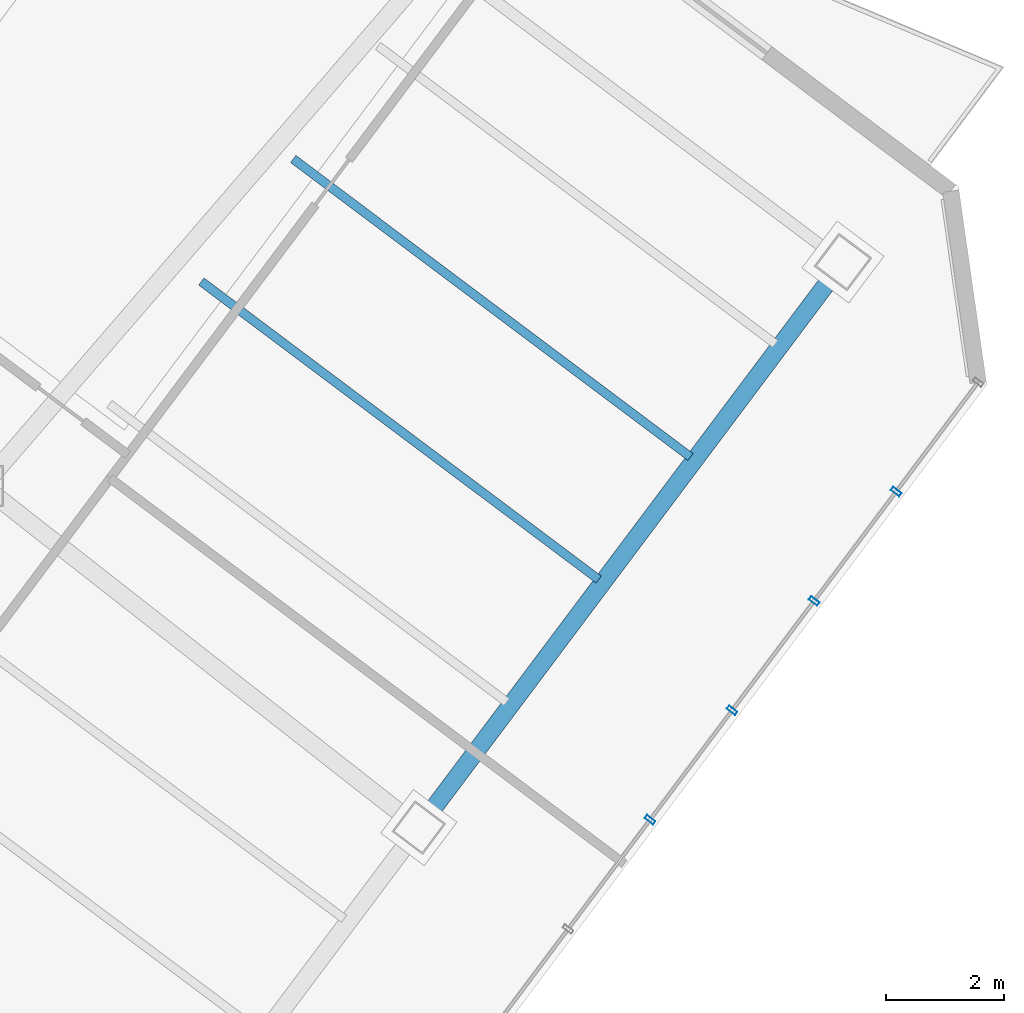
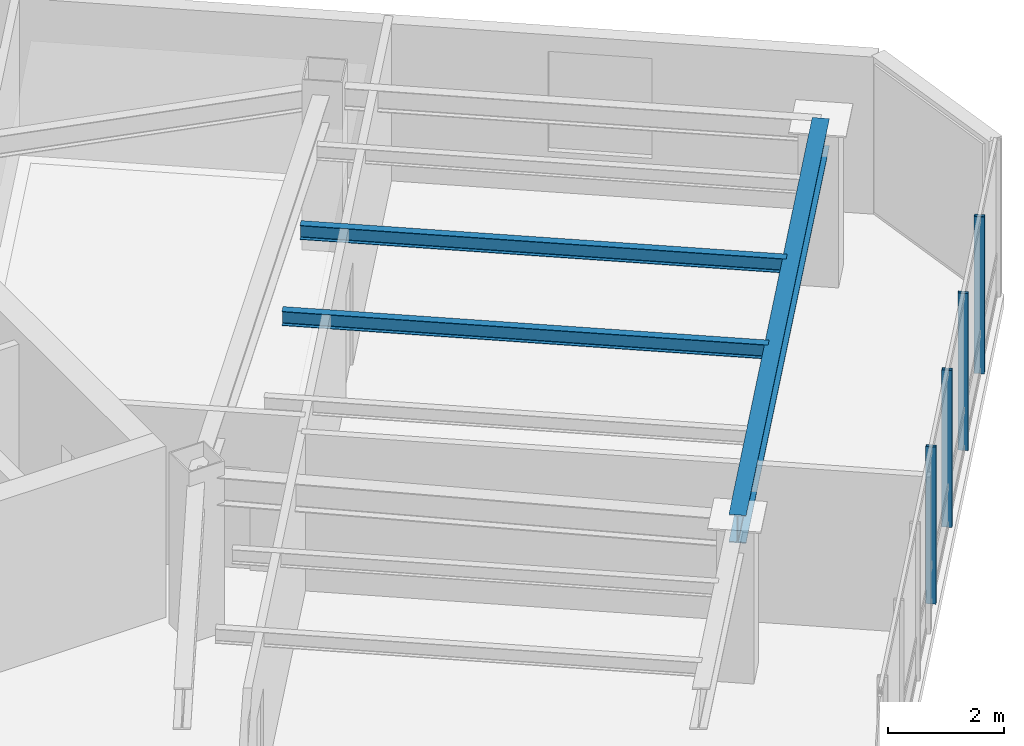
# One storey, part 13 of 25: 4 members, 3 beams, 1 element without a shape of its own.
"""IFC4 building model written with IfcOpenShell, lengths in metres."""

from ifc_helpers import new_model, si_unit, direction, frame, origin, origin_2d, place, context, subcontext, project, spatial, hollow_rectangle, i_section, extrude, material, layer, layer_set, material_profile, profile_set, type_object, element, aggregate, save


model = new_model("IFC4")

# Units and contexts
model_context = context("Model", 3, precision=1e-05, world=origin(), true_north=direction((0.0, 1.0)))
body_context = subcontext(model_context, "Body", "Model", "MODEL_VIEW")
ifc_project = project(units=[si_unit("LENGTHUNIT", "METRE"), si_unit("AREAUNIT", "SQUARE_METRE"), si_unit("VOLUMEUNIT", "CUBIC_METRE"), si_unit("PLANEANGLEUNIT", "RADIAN"), si_unit("MASSUNIT", "GRAM", prefix="KILO")], contexts=[model_context])

# Site, building, storey
site_placement = place(None, origin())
site = spatial("IfcSite", under=ifc_project, at=site_placement, CompositionType="ELEMENT")
building_placement = place(site_placement, origin())
building = spatial("IfcBuilding", under=site, at=building_placement, Name="Hatsunagi Terrace Concourse", CompositionType="ELEMENT")
storey_placement = place(building_placement, frame((0.0, 0.0, 231.14990234375)))
storey = spatial("IfcBuildingStorey", under=building, at=storey_placement, Name="L61", CompositionType="ELEMENT", Elevation=231.14990234375)

# Curtain wall, members
ifc_material_1 = material(Name="Anodised Aluminium Alloy 6063-T5", Category="aluminium")
ifc_layer = layer(ifc_material_1, 0.199951171875)
ifc_layer_set = layer_set([ifc_layer], Name="OfficeZone2_CW04")
curtain_wall_type = type_object("IfcCurtainWallType", Name="OfficeZone2_CW04", PredefinedType="NOTDEFINED", material=ifc_layer_set)
curtain_wall_placement = place(storey_placement, origin())
curtain_wall = element("IfcCurtainWall", 1, at=curtain_wall_placement, inside=storey, type_object=curtain_wall_type, Name="Unitised Curtain Wall CW-04 CW-L61-03", PredefinedType="NOTDEFINED")
ifc_material_2 = material(Name="Anodised Aluminium Alloy 6063-T5", Category="aluminium")
ifc_material_profile_1 = material_profile(ifc_material_2, hollow_rectangle(XDim=0.070068359375, YDim=0.179931640625, WallThickness=0.00390625, at=origin_2d()), Name="ALU-MUL-180x70x4")
ifc_profile_set_1 = profile_set([ifc_material_profile_1], Name="Anodised Aluminium Alloy 6063-T5")
member_type = type_object("IfcMemberType", Name="CurtainWallMullion_180x70", PredefinedType="MULLION", material=ifc_profile_set_1)
member_1_placement = place(storey_placement, frame((59.301025390625, 24.10205078125, 0.0), z_axis=(0.0, 0.0, 1.0), x_axis=(-0.599969314634, -0.800023013105, 0.0)))
member_1 = element("IfcMember", 2, at=member_1_placement, type_object=member_type, Name="Curtain Wall Mullion MUL-02", PredefinedType="MULLION", context=body_context, shape_type="SweptSolid", body=[
    extrude(hollow_rectangle(XDim=0.070068359375, YDim=0.179931640625, WallThickness=0.00390625, at=origin_2d()), origin(), (0.0, 0.0, 1.0), 3.300048828125),
])
member_2_placement = place(storey_placement, frame((57.908935546875, 22.2451171875, 0.0), z_axis=(0.0, 0.0, 1.0), x_axis=(-0.599969314634, -0.800023013105, 0.0)))
member_2 = element("IfcMember", 3, at=member_2_placement, type_object=member_type, Name="Curtain Wall Mullion MUL-02", PredefinedType="MULLION", context=body_context, shape_type="SweptSolid", body=[
    extrude(hollow_rectangle(XDim=0.070068359375, YDim=0.179931640625, WallThickness=0.00390625, at=origin_2d()), origin(), (0.0, 0.0, 1.0), 3.300048828125),
])
member_3_placement = place(storey_placement, frame((56.51611328125, 20.388916015625, 0.0), z_axis=(0.0, 0.0, 1.0), x_axis=(-0.599969314634, -0.800023013105, 0.0)))
member_3 = element("IfcMember", 4, at=member_3_placement, type_object=member_type, Name="Curtain Wall Mullion MUL-02", PredefinedType="MULLION", context=body_context, shape_type="SweptSolid", body=[
    extrude(hollow_rectangle(XDim=0.070068359375, YDim=0.179931640625, WallThickness=0.00390625, at=origin_2d()), origin(), (0.0, 0.0, 1.0), 3.300048828125),
])
member_4_placement = place(storey_placement, frame((55.1240234375, 18.531982421875, 0.0), z_axis=(0.0, 0.0, 1.0), x_axis=(-0.599969314634, -0.800023013105, 0.0)))
member_4 = element("IfcMember", 5, at=member_4_placement, type_object=member_type, Name="Curtain Wall Mullion MUL-02", PredefinedType="MULLION", context=body_context, shape_type="SweptSolid", body=[
    extrude(hollow_rectangle(XDim=0.070068359375, YDim=0.179931640625, WallThickness=0.00390625, at=origin_2d()), origin(), (0.0, 0.0, 1.0), 3.300048828125),
])
aggregate(curtain_wall, [member_1, member_2, member_3, member_4])

# Beams
ifc_material_3 = material(Name="Steel SN490B", Category="steel")
ifc_material_profile_2 = material_profile(ifc_material_3, i_section(OverallWidth=0.300048828125, OverallDepth=0.587890625, WebThickness=0.011962890625, FlangeThickness=0.02001953125, FilletRadius=0.01806640625, at=origin_2d()), Name="H-588x300x12x20")
ifc_profile_set_2 = profile_set([ifc_material_profile_2], Name="Steel SN490B")
beam_type_1 = type_object("IfcBeamType", Name="OfficeHighGirder_H_588x300", PredefinedType="BEAM", material=ifc_profile_set_2)
beam_placement = place(storey_placement, frame((51.199951171875, 18.39990234375, 3.006103515625), z_axis=(0.59999348959, 0.800004882766, 0.0), x_axis=(-0.800004882766, 0.59999348959, 0.0)))
element("IfcBeam", 6, at=beam_placement, inside=storey, type_object=beam_type_1, Name="Beam G-06 BM-L61-SET-2B", PredefinedType="BEAM", context=body_context, shape_type="SweptSolid", body=[
    extrude(i_section(OverallWidth=0.300048828125, OverallDepth=0.587890625, WebThickness=0.011962890625, FlangeThickness=0.02001953125, FilletRadius=0.01806640625, at=origin_2d()), origin(), (0.0, 0.0, 1.0), 12.0),
])
ifc_material_4 = material(Name="Steel SN490B", Category="steel")
ifc_material_profile_3 = material_profile(ifc_material_4, i_section(OverallWidth=0.14990234375, OverallDepth=0.300048828125, WebThickness=0.006591796875, FlangeThickness=0.009033203125, FilletRadius=0.010986328125, at=origin_2d()), Name="H-300x150x6.5x9")
ifc_profile_set_3 = profile_set([ifc_material_profile_3], Name="Steel SN490B")
beam_type_2 = type_object("IfcBeamType", Name="OfficeJoist_H_300x150", PredefinedType="JOIST", material=ifc_profile_set_3)
for number, where, z_axis, x_axis, name in (
    (7, (47.508056640625, 27.6689453125, 3.150146484375), (0.800003475366, -0.59999536615, 0.0), (0.59999536615, 0.800003475366, 0.0), "Beam J-03 J-L61-SE-2-168"),
    (8, (49.068115234375, 29.7490234375, 3.150146484375), (0.799989573921, -0.600013901187, 0.0), (0.600013901187, 0.799989573921, 0.0), "Beam J-03 J-L61-SE-2-194"),
):
    element("IfcBeam", number, at=place(storey_placement, frame(where, z_axis=z_axis, x_axis=x_axis)), inside=storey, type_object=beam_type_2, Name=name, PredefinedType="JOIST", context=body_context, shape_type="SweptSolid", body=[
        extrude(i_section(OverallWidth=0.14990234375, OverallDepth=0.300048828125, WebThickness=0.006591796875, FlangeThickness=0.009033203125, FilletRadius=0.010986328125, at=origin_2d()), origin(), (0.0, 0.0, 1.0), 8.429931640625),
    ])

save(model, "model.ifc")
